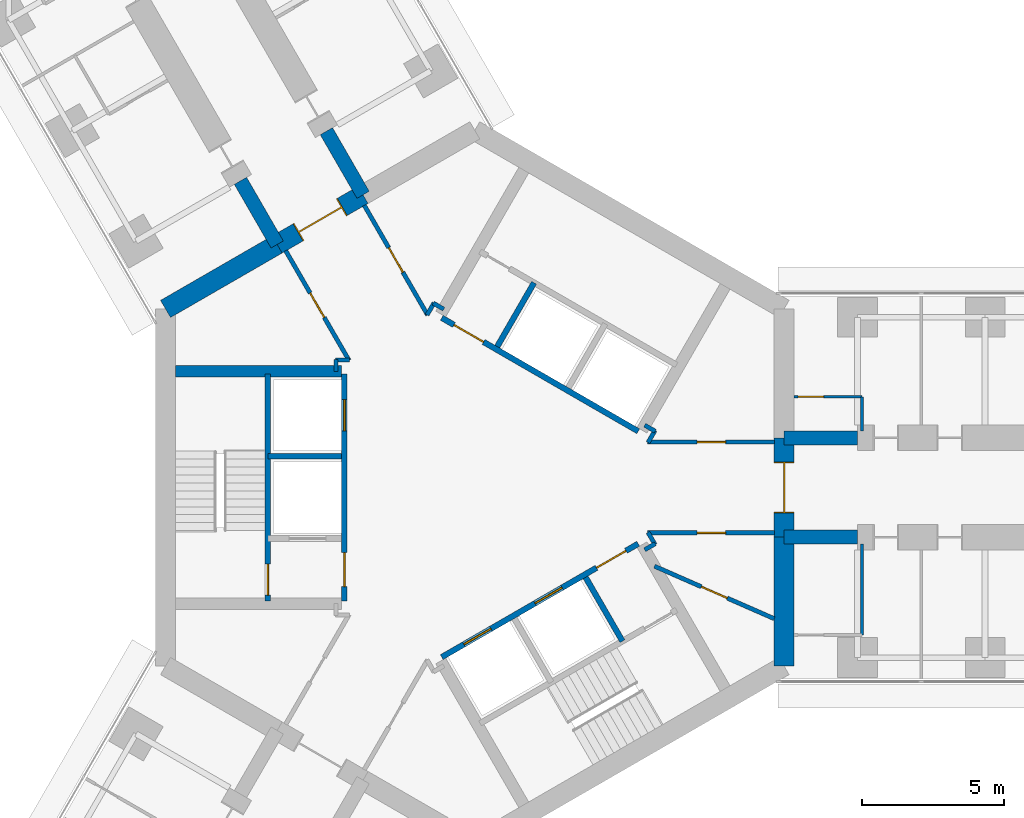
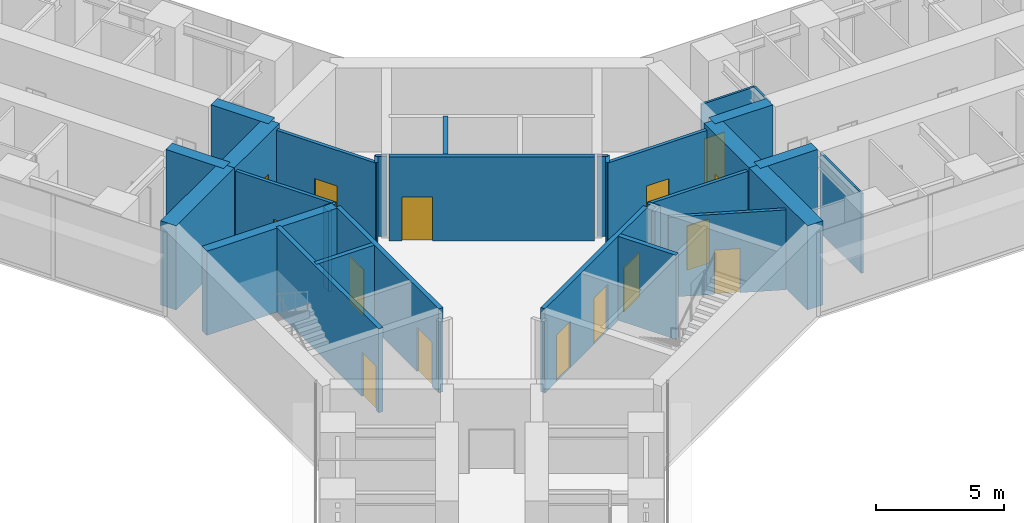
# One storey, part 18 of 25: 32 walls, 15 doors, 15 openings.
"""IFC4 building model written with IfcOpenShell, lengths in metres."""

from ifc_helpers import new_model, si_unit, direction, frame, frame_2d, origin, place, context, subcontext, project, spatial, rectangle, extrude, material, layer, layer_set, type_object, element, fill, save


model = new_model("IFC4")

# Units and contexts
model_context = context("Model", 3, precision=1e-05, world=origin(), true_north=direction((0.0, 1.0)))
body_context = subcontext(model_context, "Body", "Model", "MODEL_VIEW")
ifc_project = project(units=[si_unit("LENGTHUNIT", "METRE"), si_unit("AREAUNIT", "SQUARE_METRE"), si_unit("VOLUMEUNIT", "CUBIC_METRE"), si_unit("PLANEANGLEUNIT", "RADIAN"), si_unit("MASSUNIT", "GRAM", prefix="KILO")], contexts=[model_context])

# Site, building, storey
site_placement = place(None, origin())
site = spatial("IfcSite", under=ifc_project, at=site_placement, CompositionType="ELEMENT")
building_placement = place(site_placement, origin())
building = spatial("IfcBuilding", under=site, at=building_placement, Name="Upepo Twin Towers", CompositionType="ELEMENT")
storey_placement = place(building_placement, frame((0.0, 0.0, 76.5)))
storey = spatial("IfcBuildingStorey", under=building, at=storey_placement, Name="L18", CompositionType="ELEMENT", Elevation=76.5)

# Walls
ifc_material_1 = material(Name="Concrete C60/75", Category="concrete")
ifc_layer_1 = layer(ifc_material_1, 0.5)
ifc_layer_set_1 = layer_set([ifc_layer_1], Name="Concrete C60/75")
wall_type_1 = type_object("IfcWallType", Name="Buttress wall 500 RC", PredefinedType="SHEAR", material=ifc_layer_set_1)
for number, where, z_axis, x_axis, name in (
    (1, (10.908447265625, 1.75, 0.0), (0.0, 0.0, 1.0), (1.0, 0.0, 0.0), "T1 wing A buttress wall L"),
    (2, (10.908447265625, -1.75, 0.0), (0.0, 0.0, 1.0), (1.0, 0.0, 0.0), "T1 wing A buttress wall R"),
):
    element("IfcWall", number, at=place(storey_placement, frame(where, z_axis=z_axis, x_axis=x_axis)), inside=storey, type_object=wall_type_1, Name=name, PredefinedType="SHEAR", context=body_context, shape_type="SweptSolid", body=[
        extrude(rectangle(XDim=2.591552734375, YDim=0.5, at=frame_2d((1.2958984375, 0.0))), origin(), (0.0, 0.0, 1.0), 4.0),
    ])
for number, where, z_axis, x_axis, name in (
    (3, (-6.9697265625, 8.57177734375, 0.0), (0.0, 0.0, 1.0), (-0.499988811324, 0.866031863473, 0.0), "T1 wing B buttress wall L"),
    (4, (-3.938720703125, 10.32177734375, 0.0), (0.0, 0.0, 1.0), (-0.499918158782, 0.866072649678, 0.0), "T1 wing B buttress wall R"),
):
    element("IfcWall", number, at=place(storey_placement, frame(where, z_axis=z_axis, x_axis=x_axis)), inside=storey, type_object=wall_type_1, Name=name, PredefinedType="SHEAR", context=body_context, shape_type="SweptSolid", body=[
        extrude(rectangle(XDim=2.591796875, YDim=0.5, at=frame_2d((1.2958984375, 0.0))), origin(), (0.0, 0.0, 1.0), 4.0),
    ])
ifc_material_2 = material(Name="Concrete C60/75", Category="concrete")
ifc_layer_2 = layer(ifc_material_2, 0.699951171875)
ifc_layer_set_2 = layer_set([ifc_layer_2], Name="Concrete C60/75")
wall_type_2 = type_object("IfcWallType", Name="Core wall 700 RC", PredefinedType="SHEAR", material=ifc_layer_set_2)
wall_1_placement = place(storey_placement, frame((10.908447265625, -6.2978515625, 0.0), z_axis=(0.0, 0.0, 1.0), x_axis=(0.0, 1.0, 0.0)))
element("IfcWall", 5, at=wall_1_placement, inside=storey, type_object=wall_type_2, Name="T1 core wall 000 R", PredefinedType="SHEAR", context=body_context, shape_type="SweptSolid", body=[
    extrude(rectangle(XDim=4.5478515625, YDim=0.699951171875, at=frame_2d((2.27392578125, 0.0))), origin(), (0.0, 0.0, 1.0), 4.0),
])

# Wall, opening, door
wall_2_placement = place(storey_placement, frame((10.908447265625, -1.75, 0.0), z_axis=(0.0, 0.0, 1.0), x_axis=(0.0, 1.0, 0.0)))
wall_2 = element("IfcWall", 6, at=wall_2_placement, inside=storey, type_object=wall_type_2, Name="T1 core wall 000", PredefinedType="SHEAR", context=body_context, shape_type="SweptSolid", body=[
    extrude(rectangle(XDim=3.5, YDim=0.699951171875, at=frame_2d((1.75, 0.0))), origin(), (0.0, 0.0, 1.0), 4.0),
])
opening_1_placement = place(wall_2_placement, frame((0.85009765625, 0.0, 0.0)))
opening_1 = element("IfcOpeningElement", 7, at=opening_1_placement, cuts=wall_2, Name="Opening D2", PredefinedType="OPENING", context=body_context, shape_type="SweptSolid", body=[
    extrude(rectangle(XDim=1.800048828125, YDim=2.10009765625, at=frame_2d((0.89990234375, 1.050048828125))), frame((0.0, 0.35986328125, 0.0), z_axis=(0.0, -1.0, 0.0), x_axis=(1.0, 0.0, 0.0)), (0.0, 0.0, 1.0), 0.719970703125),
])
ifc_material_3 = material(Name="Timber doorset", Category="wood")
door_type_1 = type_object("IfcDoorType", Name="Corridor double door 1800 FD60", OperationType="DOUBLE_DOOR_DOUBLE_SWING", PredefinedType="DOOR", material=ifc_material_3)
door_1_placement = place(opening_1_placement, origin())
door_1 = element("IfcDoor", 8, at=door_1_placement, inside=storey, type_object=door_type_1, Name="T1 L18 wing A corridor door", OperationType="DOUBLE_DOOR_DOUBLE_SWING", OverallHeight=2.10009765625, OverallWidth=1.800048828125, PredefinedType="DOOR", context=body_context, shape_type="SweptSolid", body=[
    extrude(rectangle(XDim=1.720048828125, YDim=2.06009765625, at=frame_2d((0.89990234375, 1.030029296875))), frame((0.0, 0.02490234375, 0.0), z_axis=(0.0, -1.0, 0.0), x_axis=(1.0, 0.0, 0.0)), (0.0, 0.0, 1.0), 0.050048828125),
    extrude(rectangle(XDim=0.04, YDim=2.10009765625, at=frame_2d((0.02001953125, 1.050048828125))), frame((0.0, 0.349609375, 0.0), z_axis=(0.0, -1.0, 0.0), x_axis=(1.0, 0.0, 0.0)), (0.0, 0.0, 1.0), 0.699462890625),
    extrude(rectangle(XDim=0.04, YDim=2.10009765625, at=frame_2d((1.780029296875, 1.050048828125))), frame((0.0, 0.349609375, 0.0), z_axis=(0.0, -1.0, 0.0), x_axis=(1.0, 0.0, 0.0)), (0.0, 0.0, 1.0), 0.699462890625),
    extrude(rectangle(XDim=1.720048828125, YDim=0.04, at=frame_2d((0.89990234375, 2.080078125))), frame((0.0, 0.349609375, 0.0), z_axis=(0.0, -1.0, 0.0), x_axis=(1.0, 0.0, 0.0)), (0.0, 0.0, 1.0), 0.699462890625),
])
fill(opening_1, door_1)

wall_3_placement = place(storey_placement, frame((-3.938720703125, 10.32177734375, 0.0), z_axis=(0.0, 0.0, 1.0), x_axis=(-0.866019471182, -0.500010275428, 0.0)))
wall_3 = element("IfcWall", 9, at=wall_3_placement, inside=storey, type_object=wall_type_2, Name="T1 core wall 120", PredefinedType="SHEAR", context=body_context, shape_type="SweptSolid", body=[
    extrude(rectangle(XDim=3.5, YDim=0.699951171875, at=frame_2d((1.75, 0.0))), origin(), (0.0, 0.0, 1.0), 4.0),
])
opening_2_placement = place(wall_3_placement, frame((0.85009765625, 0.0, 0.0)))
opening_2 = element("IfcOpeningElement", 10, at=opening_2_placement, cuts=wall_3, Name="Opening D2", PredefinedType="OPENING", context=body_context, shape_type="SweptSolid", body=[
    extrude(rectangle(XDim=1.800048828125, YDim=2.10009765625, at=frame_2d((0.89990234375, 1.050048828125))), frame((0.0, 0.35986328125, 0.0), z_axis=(0.0, -1.0, 0.0), x_axis=(1.0, 0.0, 0.0)), (0.0, 0.0, 1.0), 0.719970703125),
])
door_2_placement = place(opening_2_placement, origin())
door_2 = element("IfcDoor", 11, at=door_2_placement, inside=storey, type_object=door_type_1, Name="T1 L18 wing B corridor door", OperationType="DOUBLE_DOOR_DOUBLE_SWING", OverallHeight=2.10009765625, OverallWidth=1.800048828125, PredefinedType="DOOR", context=body_context, shape_type="SweptSolid", body=[
    extrude(rectangle(XDim=1.720048828125, YDim=2.06009765625, at=frame_2d((0.89990234375, 1.030029296875))), frame((0.0, 0.02490234375, 0.0), z_axis=(0.0, -1.0, 0.0), x_axis=(1.0, 0.0, 0.0)), (0.0, 0.0, 1.0), 0.050048828125),
    extrude(rectangle(XDim=0.04, YDim=2.10009765625, at=frame_2d((0.02001953125, 1.050048828125))), frame((0.0, 0.349609375, 0.0), z_axis=(0.0, -1.0, 0.0), x_axis=(1.0, 0.0, 0.0)), (0.0, 0.0, 1.0), 0.699462890625),
    extrude(rectangle(XDim=0.04, YDim=2.10009765625, at=frame_2d((1.780029296875, 1.050048828125))), frame((0.0, 0.349609375, 0.0), z_axis=(0.0, -1.0, 0.0), x_axis=(1.0, 0.0, 0.0)), (0.0, 0.0, 1.0), 0.699462890625),
    extrude(rectangle(XDim=1.720048828125, YDim=0.04, at=frame_2d((0.89990234375, 2.080078125))), frame((0.0, 0.349609375, 0.0), z_axis=(0.0, -1.0, 0.0), x_axis=(1.0, 0.0, 0.0)), (0.0, 0.0, 1.0), 0.699462890625),
])
fill(opening_2, door_2)

# Wall
wall_4_placement = place(storey_placement, frame((-6.9697265625, 8.57177734375, 0.0), z_axis=(0.0, 0.0, 1.0), x_axis=(-0.866034513004, -0.499984222037, 0.0)))
element("IfcWall", 12, at=wall_4_placement, inside=storey, type_object=wall_type_2, Name="T1 core wall 120 L", PredefinedType="SHEAR", context=body_context, shape_type="SweptSolid", body=[
    extrude(rectangle(XDim=4.548095703125, YDim=0.699951171875, at=frame_2d((2.27392578125, 0.0))), origin(), (0.0, 0.0, 1.0), 4.0),
])

# Wall, opening, door
ifc_material_4 = material(Name="Gypsum board on steel studs", Category="steel")
ifc_layer_3 = layer(ifc_material_4, 0.10009765625)
ifc_layer_set_3 = layer_set([ifc_layer_3], Name="Office partition 100 stud")
wall_type_3 = type_object("IfcWallType", Name="Office partition 100 stud", PredefinedType="PARTITIONING", material=ifc_layer_set_3)
wall_5_placement = place(storey_placement, frame((11.258056640625, 3.199951171875, 0.0), z_axis=(0.0, 0.0, 1.0), x_axis=(1.0, 0.0, 0.0)))
wall_5 = element("IfcWall", 13, at=wall_5_placement, inside=storey, type_object=wall_type_3, Name="T1 WC bay partition AL at 11.26", PredefinedType="PARTITIONING", context=body_context, shape_type="SweptSolid", body=[
    extrude(rectangle(XDim=2.39990234375, YDim=0.10009765625, at=frame_2d((1.199951171875, 0.0))), origin(), (0.0, 0.0, 1.0), 3.800048828125),
])
opening_3_placement = place(wall_5_placement, frame((0.14990234375, 0.0, 0.0)))
opening_3 = element("IfcOpeningElement", 14, at=opening_3_placement, cuts=wall_5, Name="Opening D14", PredefinedType="OPENING", context=body_context, shape_type="SweptSolid", body=[
    extrude(rectangle(XDim=0.89990234375, YDim=2.10009765625, at=frame_2d((0.449951171875, 1.050048828125))), frame((0.0, 0.06005859375, 0.0), z_axis=(0.0, -1.0, 0.0), x_axis=(1.0, 0.0, 0.0)), (0.0, 0.0, 1.0), 0.1201171875),
])
ifc_material_5 = material(Name="Timber doorset", Category="wood")
door_type_2 = type_object("IfcDoorType", Name="Office door 900 FD30", OperationType="SINGLE_SWING_LEFT", PredefinedType="DOOR", material=ifc_material_5)
door_3_placement = place(opening_3_placement, origin())
door_3 = element("IfcDoor", 15, at=door_3_placement, inside=storey, type_object=door_type_2, Name="T1 L18 WC bay inner room door", OperationType="SINGLE_SWING_LEFT", OverallHeight=2.10009765625, OverallWidth=0.89990234375, PredefinedType="DOOR", context=body_context, shape_type="SweptSolid", body=[
    extrude(rectangle(XDim=0.89990234375, YDim=2.10009765625, at=frame_2d((0.449951171875, 1.050048828125))), frame((0.0, 0.02490234375, 0.0), z_axis=(0.0, -1.0, 0.0), x_axis=(1.0, 0.0, 0.0)), (0.0, 0.0, 1.0), 0.050048828125),
])
fill(opening_3, door_3)

# Walls
wall_6_placement = place(storey_placement, frame((13.657958984375, 2.0, 0.0), z_axis=(0.0, 0.0, 1.0), x_axis=(0.0, 1.0, 0.0)))
element("IfcWall", 16, at=wall_6_placement, inside=storey, type_object=wall_type_3, Name="T1 WC bay partition AL end at 13.66", PredefinedType="PARTITIONING", context=body_context, shape_type="SweptSolid", body=[
    extrude(rectangle(XDim=1.199951171875, YDim=0.10009765625, at=frame_2d((0.60009765625, 0.0))), origin(), (0.0, 0.0, 1.0), 3.800048828125),
])
wall_7_placement = place(storey_placement, frame((13.657958984375, -2.0, 0.0), z_axis=(0.0, 0.0, 1.0), x_axis=(0.0, -1.0, 0.0)))
element("IfcWall", 17, at=wall_7_placement, inside=storey, type_object=wall_type_3, Name="T1 WC bay partition AR end at 13.66", PredefinedType="PARTITIONING", context=body_context, shape_type="SweptSolid", body=[
    extrude(rectangle(XDim=3.199951171875, YDim=0.10009765625, at=frame_2d((1.60009765625, 0.0))), origin(), (0.0, 0.0, 1.0), 3.800048828125),
])

# Wall, opening, door
ifc_material_6 = material(Name="Concrete C40/50", Category="concrete")
ifc_layer_4 = layer(ifc_material_6, 0.199951171875)
ifc_layer_set_4 = layer_set([ifc_layer_4], Name="Concrete C40/50")
wall_type_4 = type_object("IfcWallType", Name="Shaft wall 200 RC", PredefinedType="SHEAR", material=ifc_layer_set_4)
wall_8_placement = place(storey_placement, frame((5.76416015625, 1.983642578125, 0.0), z_axis=(0.0, 0.0, 1.0), x_axis=(-0.866026010844, 0.49999894854, 0.0)))
wall_8 = element("IfcWall", 18, at=wall_8_placement, inside=storey, type_object=wall_type_4, Name="T1 core W60 front wall", PredefinedType="SHEAR", context=body_context, shape_type="SweptSolid", body=[
    extrude(rectangle(XDim=8.0, YDim=0.199951171875, at=frame_2d((4.0, 0.0))), origin(), (0.0, 0.0, 1.0), 4.0),
])
opening_4_placement = place(wall_8_placement, frame((6.300048828125, 0.0, 0.0)))
opening_4 = element("IfcOpeningElement", 19, at=opening_4_placement, cuts=wall_8, Name="Opening D4", PredefinedType="OPENING", context=body_context, shape_type="SweptSolid", body=[
    extrude(rectangle(XDim=1.199951171875, YDim=2.10009765625, at=frame_2d((0.60009765625, 1.050048828125))), frame((0.0, 0.10986328125, 0.0), z_axis=(0.0, -1.0, 0.0), x_axis=(1.0, 0.0, 0.0)), (0.0, 0.0, 1.0), 0.219970703125),
])
ifc_material_7 = material(Name="Timber doorset", Category="wood")
door_type_3 = type_object("IfcDoorType", Name="Lobby door 1200 FD60", OperationType="SINGLE_SWING_LEFT", PredefinedType="DOOR", material=ifc_material_7)
door_4_placement = place(opening_4_placement, origin())
door_4 = element("IfcDoor", 20, at=door_4_placement, inside=storey, type_object=door_type_3, Name="T1 L18 W60 lobby door", OperationType="SINGLE_SWING_RIGHT", OverallHeight=2.10009765625, OverallWidth=1.199951171875, PredefinedType="DOOR", context=body_context, shape_type="SweptSolid", body=[
    extrude(rectangle(XDim=1.199951171875, YDim=2.10009765625, at=frame_2d((0.60009765625, 1.050048828125))), frame((0.0, 0.02490234375, 0.0), z_axis=(0.0, -1.0, 0.0), x_axis=(1.0, 0.0, 0.0)), (0.0, 0.0, 1.0), 0.050048828125),
])
fill(opening_4, door_4)

# Wall
wall_9_placement = place(storey_placement, frame((0.791259765625, 4.97021484375, 0.0), z_axis=(0.0, 0.0, 1.0), x_axis=(0.499936506574, 0.866062058628, 0.0)))
element("IfcWall", 21, at=wall_9_placement, inside=storey, type_object=wall_type_4, Name="T1 core W60 lobby wall", PredefinedType="SHEAR", context=body_context, shape_type="SweptSolid", body=[
    extrude(rectangle(XDim=2.599853515625, YDim=0.199951171875, at=frame_2d((1.2998046875, 0.0))), origin(), (0.0, 0.0, 1.0), 4.0),
])

# Wall, openings, doors
wall_10_placement = place(storey_placement, frame((-4.60009765625, 4.0, 0.0), z_axis=(0.0, 0.0, 1.0), x_axis=(0.0, -1.0, 0.0)))
wall_10 = element("IfcWall", 22, at=wall_10_placement, inside=storey, type_object=wall_type_4, Name="T1 core W180 front wall", PredefinedType="SHEAR", context=body_context, shape_type="SweptSolid", body=[
    extrude(rectangle(XDim=8.0, YDim=0.199951171875, at=frame_2d((4.0, 0.0))), origin(), (0.0, 0.0, 1.0), 4.0),
])
opening_5_placement = place(wall_10_placement, frame((6.300048828125, 0.0, 0.0)))
opening_5 = element("IfcOpeningElement", 23, at=opening_5_placement, cuts=wall_10, Name="Opening D4", PredefinedType="OPENING", context=body_context, shape_type="SweptSolid", body=[
    extrude(rectangle(XDim=1.199951171875, YDim=2.10009765625, at=frame_2d((0.60009765625, 1.050048828125))), frame((0.0, 0.10986328125, 0.0), z_axis=(0.0, -1.0, 0.0), x_axis=(1.0, 0.0, 0.0)), (0.0, 0.0, 1.0), 0.219970703125),
])
opening_6_placement = place(wall_10_placement, frame((0.89990234375, 0.0, 0.0)))
opening_6 = element("IfcOpeningElement", 24, at=opening_6_placement, cuts=wall_10, Name="Opening LD1", PredefinedType="OPENING", context=body_context, shape_type="SweptSolid", body=[
    extrude(rectangle(XDim=1.10009765625, YDim=2.199951171875, at=frame_2d((0.550048828125, 1.10009765625))), frame((0.0, 0.10986328125, 0.0), z_axis=(0.0, -1.0, 0.0), x_axis=(1.0, 0.0, 0.0)), (0.0, 0.0, 1.0), 0.219970703125),
])
ifc_material_8 = material(Name="Steel doorset", Category="steel")
door_type_4 = type_object("IfcDoorType", Name="Lift landing door 1100", OperationType="DOUBLE_DOOR_SLIDING", PredefinedType="DOOR", material=ifc_material_8)
door_5_placement = place(opening_6_placement, origin())
door_5 = element("IfcDoor", 25, at=door_5_placement, inside=storey, type_object=door_type_4, Name="T1 L18 lift SV1 landing door", OperationType="DOUBLE_DOOR_SLIDING", OverallHeight=2.199951171875, OverallWidth=1.10009765625, PredefinedType="DOOR", context=body_context, shape_type="SweptSolid", body=[
    extrude(rectangle(XDim=1.10009765625, YDim=2.199951171875, at=frame_2d((0.550048828125, 1.10009765625))), frame((0.0, 0.02490234375, 0.0), z_axis=(0.0, -1.0, 0.0), x_axis=(1.0, 0.0, 0.0)), (0.0, 0.0, 1.0), 0.050048828125),
])
fill(opening_6, door_5)
door_6_placement = place(opening_5_placement, origin())
door_6 = element("IfcDoor", 26, at=door_6_placement, inside=storey, type_object=door_type_3, Name="T1 L18 W180 lobby door", OperationType="SINGLE_SWING_RIGHT", OverallHeight=2.10009765625, OverallWidth=1.199951171875, PredefinedType="DOOR", context=body_context, shape_type="SweptSolid", body=[
    extrude(rectangle(XDim=1.199951171875, YDim=2.10009765625, at=frame_2d((0.60009765625, 1.050048828125))), frame((0.0, 0.02490234375, 0.0), z_axis=(0.0, -1.0, 0.0), x_axis=(1.0, 0.0, 0.0)), (0.0, 0.0, 1.0), 0.050048828125),
])
fill(opening_5, door_6)

# Wall
wall_11_placement = place(storey_placement, frame((-4.699951171875, 1.10009765625, 0.0), z_axis=(0.0, 0.0, 1.0), x_axis=(-1.0, 0.0, 0.0)))
element("IfcWall", 27, at=wall_11_placement, inside=storey, type_object=wall_type_4, Name="T1 core W180 shaft divider", PredefinedType="SHEAR", context=body_context, shape_type="SweptSolid", body=[
    extrude(rectangle(XDim=2.60009765625, YDim=0.199951171875, at=frame_2d((1.300048828125, 0.0))), origin(), (0.0, 0.0, 1.0), 4.0),
])

# Wall, opening, door
wall_12_placement = place(storey_placement, frame((-7.300048828125, 4.0, 0.0), z_axis=(0.0, 0.0, 1.0), x_axis=(0.0, -1.0, 0.0)))
wall_12 = element("IfcWall", 28, at=wall_12_placement, inside=storey, type_object=wall_type_4, Name="T1 core W180 stair wall", PredefinedType="SHEAR", context=body_context, shape_type="SweptSolid", body=[
    extrude(rectangle(XDim=8.0, YDim=0.199951171875, at=frame_2d((4.0, 0.0))), origin(), (0.0, 0.0, 1.0), 4.0),
])
opening_7_placement = place(wall_12_placement, frame((6.699951171875, 0.0, 0.0)))
opening_7 = element("IfcOpeningElement", 29, at=opening_7_placement, cuts=wall_12, Name="Opening D3", PredefinedType="OPENING", context=body_context, shape_type="SweptSolid", body=[
    extrude(rectangle(XDim=1.10009765625, YDim=2.10009765625, at=frame_2d((0.550048828125, 1.050048828125))), frame((0.0, 0.10986328125, 0.0), z_axis=(0.0, -1.0, 0.0), x_axis=(1.0, 0.0, 0.0)), (0.0, 0.0, 1.0), 0.219970703125),
])
ifc_material_9 = material(Name="Timber doorset", Category="wood")
door_type_5 = type_object("IfcDoorType", Name="Stair door 1100 FD60", OperationType="SINGLE_SWING_LEFT", PredefinedType="DOOR", material=ifc_material_9)
door_7_placement = place(opening_7_placement, origin())
door_7 = element("IfcDoor", 30, at=door_7_placement, inside=storey, type_object=door_type_5, Name="T1 L18 stair door", OperationType="SINGLE_SWING_RIGHT", OverallHeight=2.10009765625, OverallWidth=1.10009765625, PredefinedType="DOOR", context=body_context, shape_type="SweptSolid", body=[
    extrude(rectangle(XDim=1.10009765625, YDim=2.10009765625, at=frame_2d((0.550048828125, 1.050048828125))), frame((0.0, 0.02490234375, 0.0), z_axis=(0.0, -1.0, 0.0), x_axis=(1.0, 0.0, 0.0)), (0.0, 0.0, 1.0), 0.050048828125),
])
fill(opening_7, door_7)

# Wall, openings, doors
wall_13_placement = place(storey_placement, frame((-1.1640625, -5.983642578125, 0.0), z_axis=(0.0, 0.0, 1.0), x_axis=(0.866026010844, 0.49999894854, 0.0)))
wall_13 = element("IfcWall", 31, at=wall_13_placement, inside=storey, type_object=wall_type_4, Name="T1 core W300 front wall", PredefinedType="SHEAR", context=body_context, shape_type="SweptSolid", body=[
    extrude(rectangle(XDim=8.0, YDim=0.199951171875, at=frame_2d((4.0, 0.0))), origin(), (0.0, 0.0, 1.0), 4.0),
])
opening_8_placement = place(wall_13_placement, frame((6.300048828125, 0.0, 0.0)))
opening_8 = element("IfcOpeningElement", 32, at=opening_8_placement, cuts=wall_13, Name="Opening D4", PredefinedType="OPENING", context=body_context, shape_type="SweptSolid", body=[
    extrude(rectangle(XDim=1.199951171875, YDim=2.10009765625, at=frame_2d((0.60009765625, 1.050048828125))), frame((0.0, 0.10986328125, 0.0), z_axis=(0.0, -1.0, 0.0), x_axis=(1.0, 0.0, 0.0)), (0.0, 0.0, 1.0), 0.219970703125),
])
opening_9_placement = place(wall_13_placement, frame((0.89990234375, 0.0, 0.0)))
opening_9 = element("IfcOpeningElement", 33, at=opening_9_placement, cuts=wall_13, Name="Opening LD1", PredefinedType="OPENING", context=body_context, shape_type="SweptSolid", body=[
    extrude(rectangle(XDim=1.10009765625, YDim=2.199951171875, at=frame_2d((0.550048828125, 1.10009765625))), frame((0.0, 0.10986328125, 0.0), z_axis=(0.0, -1.0, 0.0), x_axis=(1.0, 0.0, 0.0)), (0.0, 0.0, 1.0), 0.219970703125),
])
opening_10_placement = place(wall_13_placement, frame((3.800048828125, 0.0, 0.0)))
opening_10 = element("IfcOpeningElement", 34, at=opening_10_placement, cuts=wall_13, Name="Opening LD1", PredefinedType="OPENING", context=body_context, shape_type="SweptSolid", body=[
    extrude(rectangle(XDim=1.10009765625, YDim=2.199951171875, at=frame_2d((0.550048828125, 1.10009765625))), frame((0.0, 0.10986328125, 0.0), z_axis=(0.0, -1.0, 0.0), x_axis=(1.0, 0.0, 0.0)), (0.0, 0.0, 1.0), 0.219970703125),
])
door_8_placement = place(opening_9_placement, origin())
door_8 = element("IfcDoor", 35, at=door_8_placement, inside=storey, type_object=door_type_4, Name="T1 L18 lift LL1 landing door", OperationType="DOUBLE_DOOR_SLIDING", OverallHeight=2.199951171875, OverallWidth=1.10009765625, PredefinedType="DOOR", context=body_context, shape_type="SweptSolid", body=[
    extrude(rectangle(XDim=1.10009765625, YDim=2.199951171875, at=frame_2d((0.550048828125, 1.10009765625))), frame((0.0, 0.02490234375, 0.0), z_axis=(0.0, -1.0, 0.0), x_axis=(1.0, 0.0, 0.0)), (0.0, 0.0, 1.0), 0.050048828125),
])
fill(opening_9, door_8)
door_9_placement = place(opening_10_placement, origin())
door_9 = element("IfcDoor", 36, at=door_9_placement, inside=storey, type_object=door_type_4, Name="T1 L18 lift LL2 landing door", OperationType="DOUBLE_DOOR_SLIDING", OverallHeight=2.199951171875, OverallWidth=1.10009765625, PredefinedType="DOOR", context=body_context, shape_type="SweptSolid", body=[
    extrude(rectangle(XDim=1.10009765625, YDim=2.199951171875, at=frame_2d((0.550048828125, 1.10009765625))), frame((0.0, 0.02490234375, 0.0), z_axis=(0.0, -1.0, 0.0), x_axis=(1.0, 0.0, 0.0)), (0.0, 0.0, 1.0), 0.050048828125),
])
fill(opening_10, door_9)
door_10_placement = place(opening_8_placement, origin())
door_10 = element("IfcDoor", 37, at=door_10_placement, inside=storey, type_object=door_type_3, Name="T1 L18 W300 lobby door", OperationType="SINGLE_SWING_RIGHT", OverallHeight=2.10009765625, OverallWidth=1.199951171875, PredefinedType="DOOR", context=body_context, shape_type="SweptSolid", body=[
    extrude(rectangle(XDim=1.199951171875, YDim=2.10009765625, at=frame_2d((0.60009765625, 1.050048828125))), frame((0.0, 0.02490234375, 0.0), z_axis=(0.0, -1.0, 0.0), x_axis=(1.0, 0.0, 0.0)), (0.0, 0.0, 1.0), 0.050048828125),
])
fill(opening_8, door_10)

# Walls
wall_14_placement = place(storey_placement, frame((3.908935546875, -3.17041015625, 0.0), z_axis=(0.0, 0.0, 1.0), x_axis=(0.49997716683, -0.86603858612, 0.0)))
element("IfcWall", 38, at=wall_14_placement, inside=storey, type_object=wall_type_4, Name="T1 core W300 lobby wall", PredefinedType="SHEAR", context=body_context, shape_type="SweptSolid", body=[
    extrude(rectangle(XDim=2.599609375, YDim=0.199951171875, at=frame_2d((1.2998046875, 0.0))), origin(), (0.0, 0.0, 1.0), 4.0),
])
ifc_material_10 = material(Name="Concrete C40/50", Category="concrete")
ifc_layer_5 = layer(ifc_material_10, 0.39990234375)
ifc_layer_set_5 = layer_set([ifc_layer_5], Name="Concrete C40/50")
wall_type_5 = type_object("IfcWallType", Name="Shaft wall 400 RC", PredefinedType="SHEAR", material=ifc_layer_set_5)
wall_15_placement = place(storey_placement, frame((-4.699951171875, 4.10009765625, 0.0), z_axis=(0.0, 0.0, 1.0), x_axis=(-1.0, 0.0, 0.0)))
element("IfcWall", 39, at=wall_15_placement, inside=storey, type_object=wall_type_5, Name="T1 core W180 side wall S", PredefinedType="SHEAR", context=body_context, shape_type="SweptSolid", body=[
    extrude(rectangle(XDim=5.8583984375, YDim=0.39990234375, at=frame_2d((2.92919921875, 0.0))), origin(), (0.0, 0.0, 1.0), 4.0),
])
ifc_material_11 = material(Name="Gypsum board on steel studs", Category="steel")
ifc_layer_6 = layer(ifc_material_11, 0.14990234375)
ifc_layer_set_6 = layer_set([ifc_layer_6], Name="Teaching partition 150 acoustic")
wall_type_6 = type_object("IfcWallType", Name="Teaching partition 150 acoustic", PredefinedType="PARTITIONING", material=ifc_layer_set_6)
for number, where, z_axis, x_axis, name in (
    (40, (6.364501953125, -1.9833984375, 0.0), (0.0, 0.0, 1.0), (-0.865892400268, -0.500230298122, 0.0), "T1 core room partition 1"),
    (41, (-4.89990234375, 4.090087890625, 0.0), (0.0, 0.0, 1.0), (0.0, 1.0, 0.0), "T1 core room partition 8"),
):
    element("IfcWall", number, at=place(storey_placement, frame(where, z_axis=z_axis, x_axis=x_axis)), inside=storey, type_object=wall_type_6, Name=name, PredefinedType="PARTITIONING", context=body_context, shape_type="SweptSolid", body=[
        extrude(rectangle(XDim=0.429931640625, YDim=0.14990234375, at=frame_2d((0.21484375, 0.0))), origin(), (0.0, 0.0, 1.0), 3.800048828125),
    ])
wall_16_placement = place(storey_placement, frame((-4.919921875, 4.5, 0.0), z_axis=(0.0, 0.0, 1.0), x_axis=(1.0, 0.0, 0.0)))
element("IfcWall", 42, at=wall_16_placement, inside=storey, type_object=wall_type_6, Name="T1 core room partition 9", PredefinedType="PARTITIONING", context=body_context, shape_type="SweptSolid", body=[
    extrude(rectangle(XDim=0.494384765625, YDim=0.14990234375, at=frame_2d((0.2470703125, 0.0))), origin(), (0.0, 0.0, 1.0), 3.800048828125),
])

# Wall, opening, door
wall_17_placement = place(storey_placement, frame((-4.435546875, 4.482666015625, 0.0), z_axis=(0.0, 0.0, 1.0), x_axis=(-0.500017246033, 0.866015446554, 0.0)))
wall_17 = element("IfcWall", 43, at=wall_17_placement, inside=storey, type_object=wall_type_6, Name="T1 core room partition 10", PredefinedType="PARTITIONING", context=body_context, shape_type="SweptSolid", body=[
    extrude(rectangle(XDim=4.468505859375, YDim=0.14990234375, at=frame_2d((2.234375, 0.0))), origin(), (0.0, 0.0, 1.0), 3.800048828125),
])
opening_11_placement = place(wall_17_placement, frame((1.744384765625, 0.0, 0.0)))
opening_11 = element("IfcOpeningElement", 44, at=opening_11_placement, cuts=wall_17, Name="Opening D1", PredefinedType="OPENING", context=body_context, shape_type="SweptSolid", body=[
    extrude(rectangle(XDim=1.0, YDim=2.10009765625, at=frame_2d((0.5, 1.050048828125))), frame((0.0, 0.0849609375, 0.0), z_axis=(0.0, -1.0, 0.0), x_axis=(1.0, 0.0, 0.0)), (0.0, 0.0, 1.0), 0.169921875),
])
ifc_material_12 = material(Name="Timber doorset", Category="wood")
door_type_6 = type_object("IfcDoorType", Name="Room door 1000 FD30", OperationType="SINGLE_SWING_LEFT", PredefinedType="DOOR", material=ifc_material_12)
door_11_placement = place(opening_11_placement, origin())
door_11 = element("IfcDoor", 45, at=door_11_placement, inside=storey, type_object=door_type_6, Name="T1 L18 core room door K7", OperationType="SINGLE_SWING_RIGHT", OverallHeight=2.10009765625, OverallWidth=1.0, PredefinedType="DOOR", context=body_context, shape_type="SweptSolid", body=[
    extrude(rectangle(XDim=1.0, YDim=2.10009765625, at=frame_2d((0.5, 1.050048828125))), frame((0.0, 0.02490234375, 0.0), z_axis=(0.0, -1.0, 0.0), x_axis=(1.0, 0.0, 0.0)), (0.0, 0.0, 1.0), 0.050048828125),
])
fill(opening_11, door_11)

wall_18_placement = place(storey_placement, frame((-3.8984375, 9.952392578125, 0.0), z_axis=(0.0, 0.0, 1.0), x_axis=(0.499999927604, -0.866025445582, 0.0)))
wall_18 = element("IfcWall", 46, at=wall_18_placement, inside=storey, type_object=wall_type_6, Name="T1 core room partition 11", PredefinedType="PARTITIONING", context=body_context, shape_type="SweptSolid", body=[
    extrude(rectangle(XDim=4.46826171875, YDim=0.14990234375, at=frame_2d((2.234130859375, 0.0))), origin(), (0.0, 0.0, 1.0), 3.800048828125),
])
opening_12_placement = place(wall_18_placement, frame((1.72412109375, 0.0, 0.0)))
opening_12 = element("IfcOpeningElement", 47, at=opening_12_placement, cuts=wall_18, Name="Opening D1", PredefinedType="OPENING", context=body_context, shape_type="SweptSolid", body=[
    extrude(rectangle(XDim=1.0, YDim=2.10009765625, at=frame_2d((0.5, 1.050048828125))), frame((0.0, 0.0849609375, 0.0), z_axis=(0.0, -1.0, 0.0), x_axis=(1.0, 0.0, 0.0)), (0.0, 0.0, 1.0), 0.169921875),
])
door_12_placement = place(opening_12_placement, origin())
door_12 = element("IfcDoor", 48, at=door_12_placement, inside=storey, type_object=door_type_6, Name="T1 L18 core room door K6", OperationType="SINGLE_SWING_LEFT", OverallHeight=2.10009765625, OverallWidth=1.0, PredefinedType="DOOR", context=body_context, shape_type="SweptSolid", body=[
    extrude(rectangle(XDim=1.0, YDim=2.10009765625, at=frame_2d((0.5, 1.050048828125))), frame((0.0, 0.02490234375, 0.0), z_axis=(0.0, -1.0, 0.0), x_axis=(1.0, 0.0, 0.0)), (0.0, 0.0, 1.0), 0.050048828125),
])
fill(opening_12, door_12)

# Walls
wall_19_placement = place(storey_placement, frame((-1.684326171875, 6.082763671875, 0.0), z_axis=(0.0, 0.0, 1.0), x_axis=(0.50033519877, 0.865831790172, 0.0)))
element("IfcWall", 49, at=wall_19_placement, inside=storey, type_object=wall_type_6, Name="T1 core room partition 12", PredefinedType="PARTITIONING", context=body_context, shape_type="SweptSolid", body=[
    extrude(rectangle(XDim=0.494384765625, YDim=0.14990234375, at=frame_2d((0.2470703125, 0.0))), origin(), (0.0, 0.0, 1.0), 3.800048828125),
])
for number, where, z_axis, x_axis, name in (
    (50, (-1.46435546875, 6.50341796875, 0.0), (0.0, 0.0, 1.0), (0.866138304741, -0.499804398801, 0.0), "T1 core room partition 13"),
    (51, (5.9921875, 2.198486328125, 0.0), (0.0, 0.0, 1.0), (0.865892400268, -0.500230298122, 0.0), "T1 core room partition 14"),
):
    element("IfcWall", number, at=place(storey_placement, frame(where, z_axis=z_axis, x_axis=x_axis)), inside=storey, type_object=wall_type_6, Name=name, PredefinedType="PARTITIONING", context=body_context, shape_type="SweptSolid", body=[
        extrude(rectangle(XDim=0.429931640625, YDim=0.14990234375, at=frame_2d((0.21484375, 0.0))), origin(), (0.0, 0.0, 1.0), 3.800048828125),
    ])
wall_20_placement = place(storey_placement, frame((6.357177734375, 2.0107421875, 0.0), z_axis=(0.0, 0.0, 1.0), x_axis=(-0.50033519877, -0.865831790172, 0.0)))
element("IfcWall", 52, at=wall_20_placement, inside=storey, type_object=wall_type_6, Name="T1 core room partition 15", PredefinedType="PARTITIONING", context=body_context, shape_type="SweptSolid", body=[
    extrude(rectangle(XDim=0.494384765625, YDim=0.14990234375, at=frame_2d((0.2470703125, 0.0))), origin(), (0.0, 0.0, 1.0), 3.800048828125),
])

# Wall, opening, door
wall_21_placement = place(storey_placement, frame((6.099853515625, 1.60009765625, 0.0), z_axis=(0.0, 0.0, 1.0), x_axis=(1.0, 0.0, 0.0)))
wall_21 = element("IfcWall", 53, at=wall_21_placement, inside=storey, type_object=wall_type_6, Name="T1 core room partition 16", PredefinedType="PARTITIONING", context=body_context, shape_type="SweptSolid", body=[
    extrude(rectangle(XDim=4.468505859375, YDim=0.14990234375, at=frame_2d((2.234375, 0.0))), origin(), (0.0, 0.0, 1.0), 3.800048828125),
])
opening_13_placement = place(wall_21_placement, frame((1.744384765625, 0.0, 0.0)))
opening_13 = element("IfcOpeningElement", 54, at=opening_13_placement, cuts=wall_21, Name="Opening D1", PredefinedType="OPENING", context=body_context, shape_type="SweptSolid", body=[
    extrude(rectangle(XDim=1.0, YDim=2.10009765625, at=frame_2d((0.5, 1.050048828125))), frame((0.0, 0.0849609375, 0.0), z_axis=(0.0, -1.0, 0.0), x_axis=(1.0, 0.0, 0.0)), (0.0, 0.0, 1.0), 0.169921875),
])
door_13_placement = place(opening_13_placement, origin())
door_13 = element("IfcDoor", 55, at=door_13_placement, inside=storey, type_object=door_type_6, Name="T1 L18 core room door K5", OperationType="SINGLE_SWING_RIGHT", OverallHeight=2.10009765625, OverallWidth=1.0, PredefinedType="DOOR", context=body_context, shape_type="SweptSolid", body=[
    extrude(rectangle(XDim=1.0, YDim=2.10009765625, at=frame_2d((0.5, 1.050048828125))), frame((0.0, 0.02490234375, 0.0), z_axis=(0.0, -1.0, 0.0), x_axis=(1.0, 0.0, 0.0)), (0.0, 0.0, 1.0), 0.050048828125),
])
fill(opening_13, door_13)

wall_22_placement = place(storey_placement, frame((10.568359375, -1.60009765625, 0.0), z_axis=(0.0, 0.0, 1.0), x_axis=(-1.0, 0.0, 0.0)))
wall_22 = element("IfcWall", 56, at=wall_22_placement, inside=storey, type_object=wall_type_6, Name="T1 core room partition 17", PredefinedType="PARTITIONING", context=body_context, shape_type="SweptSolid", body=[
    extrude(rectangle(XDim=4.468505859375, YDim=0.14990234375, at=frame_2d((2.234375, 0.0))), origin(), (0.0, 0.0, 1.0), 3.800048828125),
])
opening_14_placement = place(wall_22_placement, frame((1.72412109375, 0.0, 0.0)))
opening_14 = element("IfcOpeningElement", 57, at=opening_14_placement, cuts=wall_22, Name="Opening D1", PredefinedType="OPENING", context=body_context, shape_type="SweptSolid", body=[
    extrude(rectangle(XDim=1.0, YDim=2.10009765625, at=frame_2d((0.5, 1.050048828125))), frame((0.0, 0.0849609375, 0.0), z_axis=(0.0, -1.0, 0.0), x_axis=(1.0, 0.0, 0.0)), (0.0, 0.0, 1.0), 0.169921875),
])
door_14_placement = place(opening_14_placement, origin())
door_14 = element("IfcDoor", 58, at=door_14_placement, inside=storey, type_object=door_type_6, Name="T1 L18 core room door K3", OperationType="SINGLE_SWING_LEFT", OverallHeight=2.10009765625, OverallWidth=1.0, PredefinedType="DOOR", context=body_context, shape_type="SweptSolid", body=[
    extrude(rectangle(XDim=1.0, YDim=2.10009765625, at=frame_2d((0.5, 1.050048828125))), frame((0.0, 0.02490234375, 0.0), z_axis=(0.0, -1.0, 0.0), x_axis=(1.0, 0.0, 0.0)), (0.0, 0.0, 1.0), 0.050048828125),
])
fill(opening_14, door_14)

# Wall
wall_23_placement = place(storey_placement, frame((6.10986328125, -1.582763671875, 0.0), z_axis=(0.0, 0.0, 1.0), x_axis=(0.50033519877, -0.865831790172, 0.0)))
element("IfcWall", 59, at=wall_23_placement, inside=storey, type_object=wall_type_6, Name="T1 core room partition 18", PredefinedType="PARTITIONING", context=body_context, shape_type="SweptSolid", body=[
    extrude(rectangle(XDim=0.494384765625, YDim=0.14990234375, at=frame_2d((0.2470703125, 0.0))), origin(), (0.0, 0.0, 1.0), 3.800048828125),
])

# Wall, opening, door
wall_24_placement = place(storey_placement, frame((6.337646484375, -2.777099609375, 0.0), z_axis=(0.0, 0.0, 1.0), x_axis=(0.915933456521, -0.40133016735, 0.0)))
wall_24 = element("IfcWall", 60, at=wall_24_placement, inside=storey, type_object=wall_type_6, Name="T1 core room partition 19", PredefinedType="PARTITIONING", context=body_context, shape_type="SweptSolid", body=[
    extrude(rectangle(XDim=4.608154296875, YDim=0.14990234375, at=frame_2d((2.30419921875, 0.0))), origin(), (0.0, 0.0, 1.0), 3.800048828125),
])
opening_15_placement = place(wall_24_placement, frame((1.803955078125, 0.0, 0.0)))
opening_15 = element("IfcOpeningElement", 61, at=opening_15_placement, cuts=wall_24, Name="Opening D1", PredefinedType="OPENING", context=body_context, shape_type="SweptSolid", body=[
    extrude(rectangle(XDim=1.0, YDim=2.10009765625, at=frame_2d((0.5, 1.050048828125))), frame((0.0, 0.0849609375, 0.0), z_axis=(0.0, -1.0, 0.0), x_axis=(1.0, 0.0, 0.0)), (0.0, 0.0, 1.0), 0.169921875),
])
door_15_placement = place(opening_15_placement, origin())
door_15 = element("IfcDoor", 62, at=door_15_placement, inside=storey, type_object=door_type_6, Name="T1 L18 core room door K4", OperationType="SINGLE_SWING_LEFT", OverallHeight=2.10009765625, OverallWidth=1.0, PredefinedType="DOOR", context=body_context, shape_type="SweptSolid", body=[
    extrude(rectangle(XDim=1.0, YDim=2.10009765625, at=frame_2d((0.5, 1.050048828125))), frame((0.0, 0.02490234375, 0.0), z_axis=(0.0, -1.0, 0.0), x_axis=(1.0, 0.0, 0.0)), (0.0, 0.0, 1.0), 0.050048828125),
])
fill(opening_15, door_15)

save(model, "model.ifc")
